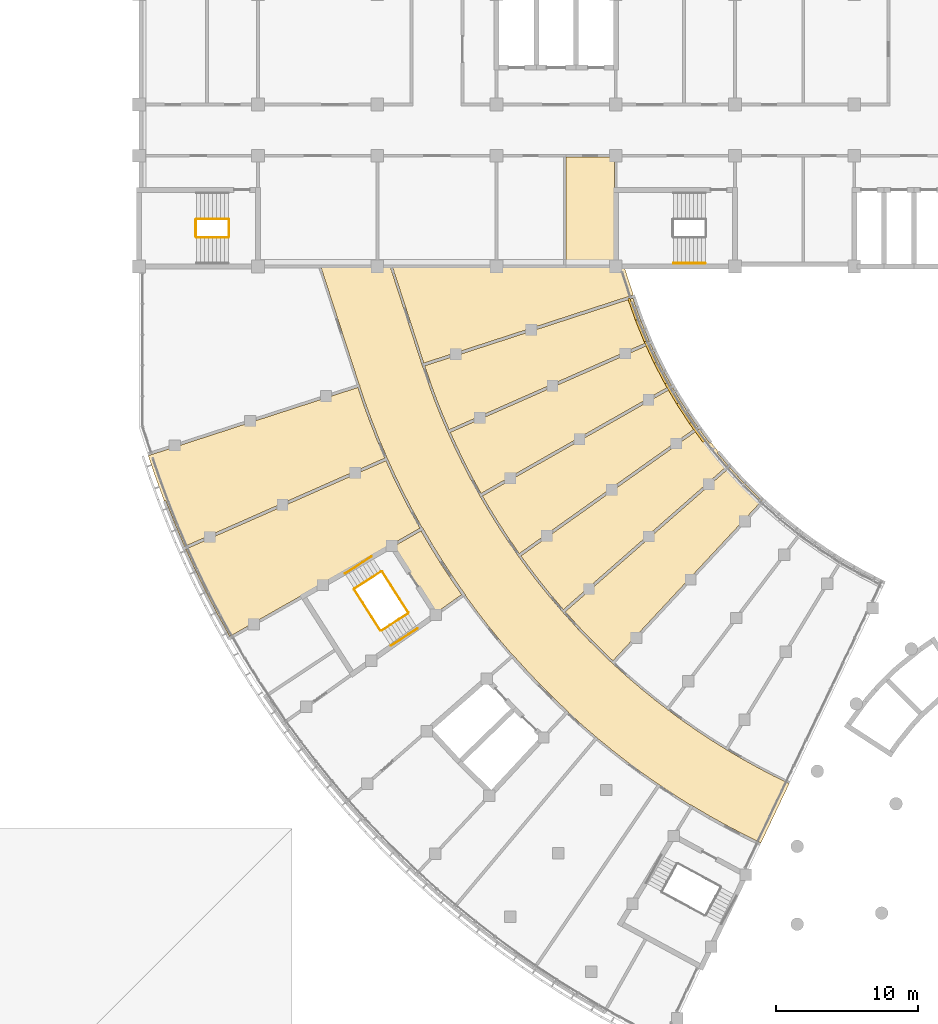
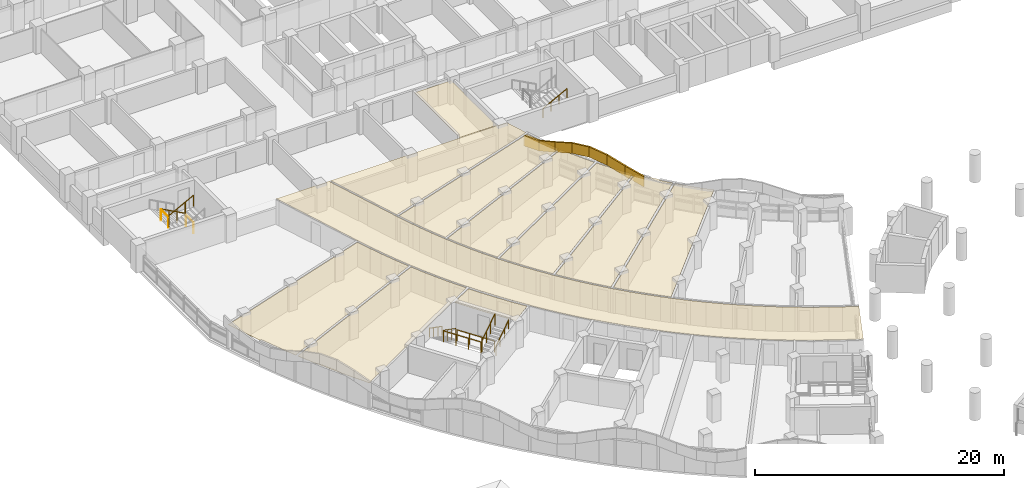
# One storey, part 83 of 89: 18 coverings, 11 railings.
"""IFC4 building model written with IfcOpenShell, lengths in metres."""

from ifc_helpers import new_model, si_unit, direction, frame, origin, origin_2d, place, context, subcontext, project, spatial, polyline, circle, outline, extrude, material, layer, layer_set, type_object, element, save


model = new_model("IFC4")

# Units and contexts
model_context = context("Model", 3, precision=1e-05, world=origin(), true_north=direction((0.0, 1.0)))
body_context = subcontext(model_context, "Body", "Model", "MODEL_VIEW")
ifc_project = project(units=[si_unit("LENGTHUNIT", "METRE"), si_unit("AREAUNIT", "SQUARE_METRE"), si_unit("VOLUMEUNIT", "CUBIC_METRE"), si_unit("PLANEANGLEUNIT", "RADIAN"), si_unit("MASSUNIT", "GRAM", prefix="KILO")], contexts=[model_context])

# Site, building, storey
site_placement = place(None, origin())
site = spatial("IfcSite", under=ifc_project, at=site_placement, CompositionType="ELEMENT")
building_placement = place(site_placement, origin())
building = spatial("IfcBuilding", under=site, at=building_placement, Name="Bougainvillea Quay General Hospital", CompositionType="ELEMENT")
storey_placement = place(building_placement, frame((0.0, 0.0, 9.89990234375)))
storey = spatial("IfcBuildingStorey", under=building, at=storey_placement, Name="L01M", CompositionType="ELEMENT", Elevation=9.89990234375)

# Coverings
ifc_material_1 = material(Name="Powder-coated aluminium fascia, green", Category="aluminium")
ifc_layer_1 = layer(ifc_material_1, 0.14990234375)
ifc_layer_set_1 = layer_set([ifc_layer_1], Name="Powder-coated aluminium fascia, green")
covering_type_1 = type_object("IfcCoveringType", Name="Aluminium wave fascia ribbon green 150x1000", PredefinedType="CLADDING", material=ifc_layer_set_1)
covering_1_placement = place(storey_placement, frame((81.860107421875, 105.287109375, 1.649658203125), z_axis=(0.191115425618, -0.265378940587, 0.945012651758), x_axis=(-0.552498255321, 0.766677637181, 0.327033757454)))
element("IfcCovering", 1, at=covering_1_placement, inside=storey, type_object=covering_type_1, Name="Fascia ribbon green a03 11", PredefinedType="CLADDING", context=body_context, shape_type="SweptSolid", body=[
    extrude(outline(polyline([(0.0, 0.0), (1.7326377036288603, -7.98514900035574e-17), (1.736474286669201, 0.14995005946681675), (-0.0037471745786367416, 0.15000855475830704), (0.0, 0.0)])), origin(), (0.327033757454, -9.7478731e-05, 0.945012651758), 1.0),
])
covering_2_placement = place(storey_placement, frame((80.90283203125, 106.615478515625, 2.217529296875), z_axis=(0.175649284869, -0.270028005097, 0.946695413102), x_axis=(-0.51620586497, 0.793576530752, 0.322130089887)))
element("IfcCovering", 2, at=covering_2_placement, inside=storey, type_object=covering_type_1, Name="Fascia ribbon green a03 12", PredefinedType="CLADDING", context=body_context, shape_type="SweptSolid", body=[
    extrude(outline(polyline([(0.0, 0.0), (1.7295783616219986, 2.333338600460366e-16), (1.7333042157225713, 0.15003232828914106), (-0.00372688795910312, 0.1499528258115512), (0.0, 0.0)])), origin(), (0.322130089887, 1.110178e-06, 0.946695413102), 1.0),
])
covering_3_placement = place(storey_placement, frame((80.010009765625, 107.988037109375, 2.775390625), z_axis=(0.068574710107, -0.117162266383, 0.990742404699), x_axis=(-0.50003278037, 0.855299792768, 0.135755232115)))
element("IfcCovering", 3, at=covering_3_placement, inside=storey, type_object=covering_type_1, Name="Fascia ribbon green a03 13", PredefinedType="CLADDING", context=body_context, shape_type="SweptSolid", body=[
    extrude(outline(polyline([(0.0, 0.0), (1.6527235888653327, -7.611268657437692e-17), (1.6562416084108509, 0.15011062465275743), (-0.003666064305362689, 0.1500296312606621), (0.0, 0.0)])), origin(), (0.135755232115, 6.696153e-05, 0.990742404699), 1.0),
])
covering_4_placement = place(storey_placement, frame((79.18359375, 109.401611328125, 2.999755859375), z_axis=(-0.066637610934, 0.127653771384, 0.989577659136), x_axis=(-0.458067730264, 0.877176093153, -0.144000194764)))
element("IfcCovering", 4, at=covering_4_placement, inside=storey, type_object=covering_type_1, Name="Fascia ribbon green a03 14", PredefinedType="CLADDING", context=body_context, shape_type="SweptSolid", body=[
    extrude(outline(polyline([(0.0, 0.0), (1.654375274054944, 1.258216621169428e-16), (1.6581415499951215, 0.15008414086189972), (-0.003722177067116728, 0.15010569226050352), (0.0, 0.0)])), origin(), (-0.144000194764, 2.1154102e-05, 0.989577659136), 1.0),
])
covering_5_placement = place(storey_placement, frame((78.42578125, 110.852783203125, 2.760498046875), z_axis=(-0.136190641951, 0.295123798869, 0.945702940878), x_axis=(-0.397243301203, 0.858226040776, -0.325032033165)))
element("IfcCovering", 5, at=covering_5_placement, inside=storey, type_object=covering_type_1, Name="Fascia ribbon green a03 15", PredefinedType="CLADDING", context=body_context, shape_type="SweptSolid", body=[
    extrude(outline(polyline([(0.0, 0.0), (1.7312980713126542, 3.913969842672671e-17), (1.735268585984335, 0.1499811522468168), (-0.0036440710331619524, 0.15009133534323663), (0.0, 0.0)])), origin(), (-0.325032033165, 0.000353596694, 0.945702940878), 1.0),
])
covering_6_placement = place(storey_placement, frame((77.738037109375, 112.338623046875, 2.196533203125), z_axis=(-0.121886725943, 0.300495629545, 0.945963002798), x_axis=(-0.355985804316, 0.876424629726, -0.324274537292)))
element("IfcCovering", 6, at=covering_6_placement, inside=storey, type_object=covering_type_1, Name="Fascia ribbon green a03 16", PredefinedType="CLADDING", context=body_context, shape_type="SweptSolid", body=[
    extrude(outline(polyline([(0.0, 0.0), (1.7309858350689447, -3.63207727782644e-17), (1.734709624348179, 0.15009016933664074), (-0.0035871554456827636, 0.1499908072268339), (0.0, 0.0)])), origin(), (-0.324274537292, 0.000147649723, 0.945963002798), 1.0),
])
covering_7_placement = place(storey_placement, frame((77.121826171875, 113.855712890625, 1.634521484375), z_axis=(-0.047322141445, 0.134210232258, 0.989822321675), x_axis=(-0.328222799528, 0.93381906267, -0.142308650702)))
element("IfcCovering", 7, at=covering_7_placement, inside=storey, type_object=covering_type_1, Name="Fascia ribbon green a03 17", PredefinedType="CLADDING", context=body_context, shape_type="SweptSolid", body=[
    extrude(outline(polyline([(0.0, 0.0), (1.6468329732874898, -8.673617379884035e-19), (1.6468012679509891, 0.15010499031991326), (-0.0036936189537909703, 0.15008674871396221), (0.0, 0.0)])), origin(), (-0.142308650702, -0.000139459611, 0.989822321675), 1.0),
])

# Railings
ifc_material_2 = material(Name="Stainless steel 304 balustrade", Category="steel")
railing_type_1 = type_object("IfcRailingType", Name="Stair guard 1100", PredefinedType="GUARDRAIL", material=ifc_material_2)
railing_1_placement = place(storey_placement, frame((48.300048828125, 120.949951171875, 0.150146484375)))
element("IfcRailing", 8, at=railing_1_placement, inside=storey, type_object=railing_type_1, Name="L01M ST-B1 stair guard 1", PredefinedType="GUARDRAIL", context=body_context, shape_type="SweptSolid", body=[
    extrude(circle(Radius=0.02392578125, at=origin_2d()), frame((0.0, 0.0, 1.076171875), z_axis=(-0.881487111273, 0.0, 0.472208081951), x_axis=(0.0, -1.0, 0.0)), (0.0, 0.0, 1.0), 2.541259765625),
    extrude(circle(Radius=0.02099609375, at=origin_2d()), origin(), (0.0, 0.0, 1.0), 1.052001953125),
    extrude(circle(Radius=0.02099609375, at=origin_2d()), frame((-0.74658203125, 0.0, 0.39990234375)), (0.0, 0.0, 1.0), 1.052001953125),
    extrude(circle(Radius=0.02099609375, at=origin_2d()), frame((-1.493408203125, 0.0, 0.800048828125)), (0.0, 0.0, 1.0), 1.052001953125),
    extrude(circle(Radius=0.02099609375, at=origin_2d()), frame((-2.239990234375, 0.0, 1.199951171875)), (0.0, 0.0, 1.0), 1.052001953125),
])
railing_2_placement = place(storey_placement, frame((46.010009765625, 120.89990234375, 1.35009765625)))
element("IfcRailing", 9, at=railing_2_placement, inside=storey, type_object=railing_type_1, Name="L01M ST-B1 stair guard 2", PredefinedType="GUARDRAIL", context=body_context, shape_type="SweptSolid", body=[
    extrude(circle(Radius=0.02392578125, at=origin_2d()), frame((0.0, 0.0, 1.076171875), z_axis=(0.0, -1.0, 0.0), x_axis=(1.0, 0.0, 0.0)), (0.0, 0.0, 1.0), 1.199951171875),
    extrude(circle(Radius=0.02099609375, at=origin_2d()), origin(), (0.0, 0.0, 1.0), 1.052001953125),
    extrude(circle(Radius=0.02099609375, at=origin_2d()), frame((0.0, -1.199951171875, 0.0)), (0.0, 0.0, 1.0), 1.052001953125),
])
railing_3_placement = place(storey_placement, frame((46.06005859375, 119.64990234375, 1.5)))
element("IfcRailing", 10, at=railing_3_placement, inside=storey, type_object=railing_type_1, Name="L01M ST-B1 stair guard 3", PredefinedType="GUARDRAIL", context=body_context, shape_type="SweptSolid", body=[
    extrude(circle(Radius=0.02392578125, at=origin_2d()), frame((0.0, 0.0, 1.076171875), z_axis=(0.881447119201, 0.0, 0.472282728937), x_axis=(0.0, 1.0, 0.0)), (0.0, 0.0, 1.0), 2.541259765625),
    extrude(circle(Radius=0.02099609375, at=origin_2d()), origin(), (0.0, 0.0, 1.0), 1.052001953125),
    extrude(circle(Radius=0.02099609375, at=origin_2d()), frame((0.74658203125, 0.0, 0.400146484375)), (0.0, 0.0, 1.0), 1.052001953125),
    extrude(circle(Radius=0.02099609375, at=origin_2d()), frame((1.493408203125, 0.0, 0.800048828125)), (0.0, 0.0, 1.0), 1.052001953125),
    extrude(circle(Radius=0.02099609375, at=origin_2d()), frame((2.239990234375, 0.0, 1.2001953125)), (0.0, 0.0, 1.0), 1.052001953125),
])
railing_4_placement = place(storey_placement, frame((48.35009765625, 120.89990234375, 0.0)))
element("IfcRailing", 11, at=railing_4_placement, inside=storey, type_object=railing_type_1, Name="L01M ST-B1 stair guard 4", PredefinedType="GUARDRAIL", context=body_context, shape_type="SweptSolid", body=[
    extrude(circle(Radius=0.02392578125, at=origin_2d()), frame((0.0, 0.0, 1.076171875), z_axis=(0.0, -1.0, 0.0), x_axis=(1.0, 0.0, 0.0)), (0.0, 0.0, 1.0), 1.199951171875),
    extrude(circle(Radius=0.02099609375, at=origin_2d()), origin(), (0.0, 0.0, 1.0), 1.052001953125),
    extrude(circle(Radius=0.02099609375, at=origin_2d()), frame((0.0, -1.199951171875, 0.0)), (0.0, 0.0, 1.0), 1.052001953125),
])
railing_5_placement = place(storey_placement, frame((59.07275390625, 96.11279296875, 0.150146484375)))
element("IfcRailing", 12, at=railing_5_placement, inside=storey, type_object=railing_type_1, Name="L01M ST-W2 stair guard 1", PredefinedType="GUARDRAIL", context=body_context, shape_type="SweptSolid", body=[
    extrude(circle(Radius=0.02392578125, at=origin_2d()), frame((0.0, 0.0, 1.076171875), z_axis=(-0.743083129325, -0.474155061187, 0.472233460128), x_axis=(0.537911863106, -0.843001083944, 0.0)), (0.0, 0.0, 1.0), 2.541015625),
    extrude(circle(Radius=0.02099609375, at=origin_2d()), origin(), (0.0, 0.0, 1.0), 1.052001953125),
    extrude(circle(Radius=0.02099609375, at=origin_2d()), frame((-0.62939453125, -0.401611328125, 0.39990234375)), (0.0, 0.0, 1.0), 1.052001953125),
    extrude(circle(Radius=0.02099609375, at=origin_2d()), frame((-1.2587890625, -0.80322265625, 0.800048828125)), (0.0, 0.0, 1.0), 1.052001953125),
    extrude(circle(Radius=0.02099609375, at=origin_2d()), frame((-1.88818359375, -1.204833984375, 1.199951171875)), (0.0, 0.0, 1.0), 1.052001953125),
])
railing_6_placement = place(storey_placement, frame((57.169189453125, 94.8388671875, 1.35009765625)))
element("IfcRailing", 13, at=railing_6_placement, inside=storey, type_object=railing_type_1, Name="L01M ST-W2 stair guard 2", PredefinedType="GUARDRAIL", context=body_context, shape_type="SweptSolid", body=[
    extrude(circle(Radius=0.02392578125, at=origin_2d()), frame((0.0, 0.0, 1.076171875), z_axis=(0.537959949577, -0.842970398443, 0.0), x_axis=(0.842970398443, 0.537959949577, 0.0)), (0.0, 0.0, 1.0), 3.421875),
    extrude(circle(Radius=0.02099609375, at=origin_2d()), origin(), (0.0, 0.0, 1.0), 1.052001953125),
    extrude(circle(Radius=0.02099609375, at=origin_2d()), frame((0.613525390625, -0.96142578125, 0.0)), (0.0, 0.0, 1.0), 1.052001953125),
    extrude(circle(Radius=0.02099609375, at=origin_2d()), frame((1.227294921875, -1.923095703125, 0.0)), (0.0, 0.0, 1.0), 1.052001953125),
    extrude(circle(Radius=0.02099609375, at=origin_2d()), frame((1.8408203125, -2.884521484375, 0.0)), (0.0, 0.0, 1.0), 1.052001953125),
])
railing_7_placement = place(storey_placement, frame((59.078857421875, 91.93896484375, 1.5)))
element("IfcRailing", 14, at=railing_7_placement, inside=storey, type_object=railing_type_1, Name="L01M ST-W2 stair guard 3", PredefinedType="GUARDRAIL", context=body_context, shape_type="SweptSolid", body=[
    extrude(circle(Radius=0.02392578125, at=origin_2d()), frame((0.0, 0.0, 1.076171875), z_axis=(0.743092438402, 0.474099700519, 0.472274392655), x_axis=(-0.53786243984, 0.843032618473, 0.0)), (0.0, 0.0, 1.0), 2.541259765625),
    extrude(circle(Radius=0.02099609375, at=origin_2d()), origin(), (0.0, 0.0, 1.0), 1.052001953125),
    extrude(circle(Radius=0.02099609375, at=origin_2d()), frame((0.62939453125, 0.401611328125, 0.400146484375)), (0.0, 0.0, 1.0), 1.052001953125),
    extrude(circle(Radius=0.02099609375, at=origin_2d()), frame((1.259033203125, 0.80322265625, 0.800048828125)), (0.0, 0.0, 1.0), 1.052001953125),
    extrude(circle(Radius=0.02099609375, at=origin_2d()), frame((1.888427734375, 1.204833984375, 1.2001953125)), (0.0, 0.0, 1.0), 1.052001953125),
])
railing_8_placement = place(storey_placement, frame((59.141845703125, 96.09765625, 0.0)))
element("IfcRailing", 15, at=railing_8_placement, inside=storey, type_object=railing_type_1, Name="L01M ST-W2 stair guard 4", PredefinedType="GUARDRAIL", context=body_context, shape_type="SweptSolid", body=[
    extrude(circle(Radius=0.02392578125, at=origin_2d()), frame((0.0, 0.0, 1.076171875), z_axis=(0.537876894364, -0.843023396181, 0.0), x_axis=(0.843023396181, 0.537876894364, 0.0)), (0.0, 0.0, 1.0), 3.421875),
    extrude(circle(Radius=0.02099609375, at=origin_2d()), origin(), (0.0, 0.0, 1.0), 1.052001953125),
    extrude(circle(Radius=0.02099609375, at=origin_2d()), frame((0.613525390625, -0.961669921875, 0.0)), (0.0, 0.0, 1.0), 1.052001953125),
    extrude(circle(Radius=0.02099609375, at=origin_2d()), frame((1.22705078125, -1.923095703125, 0.0)), (0.0, 0.0, 1.0), 1.052001953125),
    extrude(circle(Radius=0.02099609375, at=origin_2d()), frame((1.840576171875, -2.884765625, 0.0)), (0.0, 0.0, 1.0), 1.052001953125),
])
ifc_material_3 = material(Name="Stainless steel 304 handrail", Category="steel")
railing_type_2 = type_object("IfcRailingType", Name="Stair handrail 900", PredefinedType="HANDRAIL", material=ifc_material_3)
railing_9_placement = place(storey_placement, frame((79.659912109375, 117.824951171875, 1.5)))
element("IfcRailing", 16, at=railing_9_placement, inside=storey, type_object=railing_type_2, Name="L01M ST-B2 stair handrail 2", PredefinedType="HANDRAIL", context=body_context, shape_type="SweptSolid", body=[
    extrude(circle(Radius=0.02392578125, at=origin_2d()), frame((0.0, 0.0, 0.8759765625), z_axis=(0.881447119201, 0.0, 0.472282728937), x_axis=(0.0, 1.0, 0.0)), (0.0, 0.0, 1.0), 2.541259765625),
    extrude(circle(Radius=0.02099609375, at=origin_2d()), origin(), (0.0, 0.0, 1.0), 0.851806640625),
    extrude(circle(Radius=0.02099609375, at=origin_2d()), frame((0.74658203125, 0.0, 0.400146484375)), (0.0, 0.0, 1.0), 0.851806640625),
    extrude(circle(Radius=0.02099609375, at=origin_2d()), frame((1.493408203125, 0.0, 0.800048828125)), (0.0, 0.0, 1.0), 0.851806640625),
    extrude(circle(Radius=0.02099609375, at=origin_2d()), frame((2.239990234375, 0.0, 1.2001953125)), (0.0, 0.0, 1.0), 0.851806640625),
])
railing_10_placement = place(storey_placement, frame((58.400390625, 97.16650390625, 0.150146484375)))
element("IfcRailing", 17, at=railing_10_placement, inside=storey, type_object=railing_type_2, Name="L01M ST-W2 stair handrail 1", PredefinedType="HANDRAIL", context=body_context, shape_type="SweptSolid", body=[
    extrude(circle(Radius=0.02392578125, at=origin_2d()), frame((0.0, 0.0, 0.8759765625), z_axis=(-0.743126152003, -0.474121210102, 0.472199746231), x_axis=(0.53786243984, -0.843032618473, 0.0)), (0.0, 0.0, 1.0), 2.541259765625),
    extrude(circle(Radius=0.02099609375, at=origin_2d()), origin(), (0.0, 0.0, 1.0), 0.851806640625),
    extrude(circle(Radius=0.02099609375, at=origin_2d()), frame((-0.62939453125, -0.401611328125, 0.39990234375)), (0.0, 0.0, 1.0), 0.851806640625),
    extrude(circle(Radius=0.02099609375, at=origin_2d()), frame((-1.259033203125, -0.80322265625, 0.800048828125)), (0.0, 0.0, 1.0), 0.851806640625),
    extrude(circle(Radius=0.02099609375, at=origin_2d()), frame((-1.888427734375, -1.204833984375, 1.199951171875)), (0.0, 0.0, 1.0), 0.851806640625),
])
railing_11_placement = place(storey_placement, frame((59.75146484375, 90.88525390625, 1.5)))
element("IfcRailing", 18, at=railing_11_placement, inside=storey, type_object=railing_type_2, Name="L01M ST-W2 stair handrail 2", PredefinedType="HANDRAIL", context=body_context, shape_type="SweptSolid", body=[
    extrude(circle(Radius=0.02392578125, at=origin_2d()), frame((0.0, 0.0, 0.8759765625), z_axis=(0.743049412861, 0.474133546997, 0.472308108822), x_axis=(-0.537911863106, 0.843001083944, 0.0)), (0.0, 0.0, 1.0), 2.541015625),
    extrude(circle(Radius=0.02099609375, at=origin_2d()), origin(), (0.0, 0.0, 1.0), 0.851806640625),
    extrude(circle(Radius=0.02099609375, at=origin_2d()), frame((0.62939453125, 0.401611328125, 0.400146484375)), (0.0, 0.0, 1.0), 0.851806640625),
    extrude(circle(Radius=0.02099609375, at=origin_2d()), frame((1.2587890625, 0.80322265625, 0.800048828125)), (0.0, 0.0, 1.0), 0.851806640625),
    extrude(circle(Radius=0.02099609375, at=origin_2d()), frame((1.88818359375, 1.204833984375, 1.2001953125)), (0.0, 0.0, 1.0), 0.851806640625),
])

# Coverings
ifc_material_4 = material(Name="Mineral fibre ceiling tile")
ifc_layer_2 = layer(ifc_material_4, 0.030029296875)
ifc_layer_set_2 = layer_set([ifc_layer_2], Name="Mineral fibre ceiling tile")
covering_type_2 = type_object("IfcCoveringType", Name="Suspended ceiling mineral fibre tile", PredefinedType="CEILING", material=ifc_layer_set_2)
covering_8_placement = place(storey_placement, frame((0.0, 0.0, 2.050048828125)))
element("IfcCovering", 19, at=covering_8_placement, inside=storey, type_object=covering_type_2, Name="Ceiling Filter Store", PredefinedType="CEILING", context=body_context, shape_type="SweptSolid", body=[
    extrude(outline(polyline([(75.498046875, 125.300048828125), (72.097900390625, 125.300048828125), (72.097900390625, 118.050048828125), (75.425048828125, 118.050048828125), (75.425048828125, 117.697998046875), (75.498046875, 117.697998046875), (75.498046875, 125.300048828125)])), origin(), (0.0, 0.0, 1.0), 0.030029296875),
])
covering_9_placement = place(storey_placement, frame((0.0, 0.0, 2.3701171875)))
element("IfcCovering", 20, at=covering_9_placement, inside=storey, type_object=covering_type_2, Name="Ceiling Interstitial Walkway", PredefinedType="CEILING", context=body_context, shape_type="SweptSolid", body=[
    extrude(outline(polyline([(87.846923828125, 81.23193359375), (87.81396484375, 81.164794921875), (86.767333984375, 81.679443359375), (86.7666015625, 81.677734375), (86.634521484375, 81.744873046875), (86.635498046875, 81.74658203125), (85.66796875, 82.254638671875), (85.667236328125, 82.2529296875), (85.53662109375, 82.323486328125), (85.53759765625, 82.324951171875), (84.58251953125, 82.85595703125), (84.58154296875, 82.854248046875), (84.453125, 82.927978515625), (84.453857421875, 82.9296875), (83.47119140625, 83.510009765625), (83.468994140625, 83.50830078125), (83.385009765625, 83.560791015625), (83.2998046875, 83.611328125), (83.30029296875, 83.61376953125), (82.458251953125, 84.1396484375), (82.457275390625, 84.13818359375), (82.332763671875, 84.218017578125), (82.33349609375, 84.2197265625), (81.4208984375, 84.821044921875), (81.419677734375, 84.819580078125), (81.297119140625, 84.902587890625), (81.298095703125, 84.904296875), (80.401123046875, 85.52783203125), (80.39990234375, 85.526123046875), (80.34033203125, 85.570068359375), (80.279541015625, 85.6123046875), (80.28076171875, 85.614013671875), (79.30126953125, 86.3359375), (79.29931640625, 86.33447265625), (79.220947265625, 86.39501953125), (79.14111328125, 86.453857421875), (79.1416015625, 86.456298828125), (78.4150390625, 87.01708984375), (78.413818359375, 87.015380859375), (78.2978515625, 87.107421875), (78.299072265625, 87.10888671875), (77.451416015625, 87.798583984375), (77.4501953125, 87.79736328125), (77.33642578125, 87.89208984375), (77.337646484375, 87.8935546875), (76.506591796875, 88.6044921875), (76.50537109375, 88.60302734375), (76.450439453125, 88.652587890625), (76.394287109375, 88.70068359375), (76.3955078125, 88.702392578125), (75.43896484375, 89.56787109375), (75.43701171875, 89.56689453125), (75.364990234375, 89.635009765625), (75.29150390625, 89.701416015625), (75.292236328125, 89.703857421875), (74.6796875, 90.2841796875), (74.67822265625, 90.282958984375), (74.572021484375, 90.38623046875), (74.5732421875, 90.387451171875), (73.798095703125, 91.158203125), (73.796630859375, 91.156982421875), (73.69287109375, 91.2626953125), (73.6943359375, 91.263916015625), (72.938232421875, 92.054443359375), (72.9365234375, 92.052978515625), (72.886962890625, 92.10791015625), (72.8359375, 92.161376953125), (72.83740234375, 92.162841796875), (71.923583984375, 93.17431640625), (71.920654296875, 93.17333984375), (71.856689453125, 93.24853515625), (71.790283203125, 93.322021484375), (71.791748046875, 93.32470703125), (70.9072265625, 94.36376953125), (70.905517578125, 94.362548828125), (70.859130859375, 94.420166015625), (70.811279296875, 94.4765625), (70.81298828125, 94.477783203125), (70.12841796875, 95.330078125), (70.126953125, 95.328857421875), (70.03564453125, 95.445556640625), (70.037109375, 95.44677734375), (69.373779296875, 96.31640625), (69.372314453125, 96.315185546875), (69.283935546875, 96.43408203125), (69.285400390625, 96.435302734375), (68.79052734375, 97.117431640625), (68.7880859375, 97.1171875), (68.731689453125, 97.19873046875), (68.673583984375, 97.279052734375), (68.675048828125, 97.28076171875), (67.940673828125, 98.34326171875), (67.93896484375, 98.34228515625), (67.898681640625, 98.404296875), (67.856689453125, 98.465087890625), (67.8583984375, 98.46630859375), (67.261962890625, 99.3818359375), (67.260498046875, 99.380859375), (67.18115234375, 99.505859375), (67.182861328125, 99.5068359375), (66.609375, 100.4384765625), (66.60791015625, 100.4375), (66.53173828125, 100.564453125), (66.533447265625, 100.5654296875), (66.072021484375, 101.357421875), (66.069580078125, 101.357177734375), (66.021728515625, 101.444091796875), (65.971923828125, 101.52978515625), (65.9736328125, 101.531494140625), (65.385498046875, 102.597900390625), (65.3837890625, 102.596923828125), (65.349853515625, 102.66259765625), (65.314208984375, 102.7275390625), (65.31591796875, 102.728515625), (64.81494140625, 103.699462890625), (64.813232421875, 103.69873046875), (64.7470703125, 103.831298828125), (64.74853515625, 103.83203125), (64.271484375, 104.8154296875), (64.269775390625, 104.814697265625), (64.206787109375, 104.94873046875), (64.20849609375, 104.949462890625), (63.798828125, 105.8505859375), (63.79638671875, 105.8505859375), (63.75732421875, 105.941650390625), (63.71630859375, 106.031982421875), (63.718017578125, 106.03369140625), (63.268798828125, 107.08544921875), (63.266845703125, 107.084716796875), (63.21044921875, 107.221435546875), (63.21240234375, 107.22216796875), (62.810302734375, 108.23828125), (62.808349609375, 108.23779296875), (62.755615234375, 108.376220703125), (62.75732421875, 108.376708984375), (62.52685546875, 109.004150390625), (62.525634765625, 109.003662109375), (62.475830078125, 109.1435546875), (62.47705078125, 109.14404296875), (61.982421875, 110.574462890625), (61.978515625, 110.582763671875), (61.97412109375, 110.58154296875), (61.957275390625, 110.64697265625), (61.93359375, 110.71533203125), (61.93505859375, 110.716796875), (59.70556640625, 117.576904296875), (59.777099609375, 117.60009765625), (54.808837890625, 117.60009765625), (57.518798828125, 109.259765625), (57.542724609375, 109.267333984375), (57.573486328125, 109.17236328125), (57.55029296875, 109.164794921875), (57.977783203125, 107.904052734375), (58.422119140625, 106.692626953125), (58.9375, 105.389404296875), (59.500732421875, 104.063232421875), (60.07275390625, 102.809814453125), (60.563232421875, 101.798583984375), (61.17333984375, 100.610107421875), (61.9296875, 99.231689453125), (61.94873046875, 99.242919921875), (61.950439453125, 99.242431640625), (61.99951171875, 99.156005859375), (62.695556640625, 97.967529296875), (63.42138671875, 96.7978515625), (64.176025390625, 95.64599609375), (64.9609375, 94.513427734375), (65.0185546875, 94.4326171875), (65.01806640625, 94.4306640625), (64.999755859375, 94.41796875), (65.7529296875, 93.386962890625), (66.59375, 92.296630859375), (67.462646484375, 91.22705078125), (68.291748046875, 90.25634765625), (68.308349609375, 90.271240234375), (68.310302734375, 90.271240234375), (68.375732421875, 90.196533203125), (69.297607421875, 89.1728515625), (70.24365234375, 88.172607421875), (71.216064453125, 87.196533203125), (72.212646484375, 86.245849609375), (72.285400390625, 86.177978515625), (72.285400390625, 86.17626953125), (72.269775390625, 86.16015625), (73.2158203125, 85.30224609375), (74.25830078125, 84.40234375), (75.32470703125, 83.53076171875), (76.412353515625, 82.684814453125), (77.521728515625, 81.867919921875), (78.650146484375, 81.078125), (79.799560546875, 80.318115234375), (80.88134765625, 79.640625), (80.892822265625, 79.659912109375), (80.89453125, 79.660400390625), (80.9794921875, 79.60888671875), (82.165771484375, 78.90771484375), (83.36865234375, 78.238037109375), (84.58837890625, 77.59814453125), (85.82275390625, 76.9892578125), (87.846923828125, 81.23193359375)])), origin(), (0.0, 0.0, 1.0), 0.030029296875),
])
covering_10_placement = place(storey_placement, frame((0.0, 0.0, 2.3701171875)))
element("IfcCovering", 21, at=covering_10_placement, inside=storey, type_object=covering_type_2, Name="Ceiling Smoke-proof Vestibule ST-W2", PredefinedType="CEILING", context=body_context, shape_type="SweptSolid", body=[
    extrude(outline(polyline([(64.010009765625, 95.5341796875), (63.953857421875, 95.615234375), (63.9560546875, 95.61669921875), (63.306884765625, 96.607666015625), (63.3046875, 96.606201171875), (63.252685546875, 96.690185546875), (63.198486328125, 96.77294921875), (63.20068359375, 96.774169921875), (62.576416015625, 97.780517578125), (62.57421875, 97.779052734375), (62.5244140625, 97.8642578125), (62.472412109375, 97.9482421875), (62.474365234375, 97.94970703125), (61.876708984375, 98.97021484375), (59.96337890625, 97.883056640625), (60.6396484375, 96.728515625), (61.397216796875, 95.5068359375), (62.185791015625, 94.304931640625), (62.94873046875, 93.204833984375), (64.740478515625, 94.480224609375), (64.06640625, 95.452880859375), (64.064208984375, 95.45166015625), (64.010009765625, 95.5341796875)])), origin(), (0.0, 0.0, 1.0), 0.030029296875),
])
covering_11_placement = place(storey_placement, frame((0.0, 0.0, 2.3701171875)))
element("IfcCovering", 22, at=covering_11_placement, inside=storey, type_object=covering_type_2, Name="Ceiling Medical Gas and Vacuum Risers", PredefinedType="CEILING", context=body_context, shape_type="SweptSolid", body=[
    extrude(outline(polyline([(59.86181640625, 98.056884765625), (59.863525390625, 98.056396484375), (61.799560546875, 99.15673828125), (61.076416015625, 100.474853515625), (61.074462890625, 100.47412109375), (61.040771484375, 100.539794921875), (61.005126953125, 100.604736328125), (61.0068359375, 100.605712890625), (60.462646484375, 101.66552734375), (60.461181640625, 101.664794921875), (60.39501953125, 101.79736328125), (60.396484375, 101.79833984375), (59.969482421875, 102.679443359375), (59.968017578125, 102.6787109375), (59.90478515625, 102.812744140625), (59.90625, 102.8134765625), (59.405029296875, 103.91162109375), (45.2958984375, 97.684326171875), (45.9326171875, 96.283447265625), (46.6953125, 94.712890625), (47.496337890625, 93.1611328125), (48.39453125, 91.532958984375), (59.689697265625, 97.95751953125), (59.86181640625, 98.056884765625)])), origin(), (0.0, 0.0, 1.0), 0.030029296875),
])
covering_12_placement = place(storey_placement, frame((0.0, 0.0, 2.3701171875)))
element("IfcCovering", 23, at=covering_12_placement, inside=storey, type_object=covering_type_2, Name="Ceiling Medical Gas and Vacuum Risers", PredefinedType="CEILING", context=body_context, shape_type="SweptSolid", body=[
    extrude(outline(polyline([(43.791015625, 101.069091796875), (43.884033203125, 101.105712890625), (44.527587890625, 99.48095703125), (45.21533203125, 97.867431640625), (59.32421875, 104.0947265625), (58.82763671875, 105.264404296875), (58.825927734375, 105.263671875), (58.76953125, 105.400634765625), (58.771240234375, 105.4013671875), (58.30908203125, 106.5703125), (58.307373046875, 106.56982421875), (58.254638671875, 106.708251953125), (58.25634765625, 106.708740234375), (57.86181640625, 107.784423828125), (57.860107421875, 107.783935546875), (57.810791015625, 107.923583984375), (57.8125, 107.92431640625), (57.423828125, 109.071044921875), (42.66015625, 104.269287109375), (43.18798828125, 102.7099609375), (43.791015625, 101.069091796875)])), origin(), (0.0, 0.0, 1.0), 0.030029296875),
])
covering_13_placement = place(storey_placement, frame((0.0, 0.0, 2.3701171875)))
element("IfcCovering", 24, at=covering_13_placement, inside=storey, type_object=covering_type_2, Name="Ceiling Electrical Switch Room and Riser Space", PredefinedType="CEILING", context=body_context, shape_type="SweptSolid", body=[
    extrude(outline(polyline([(74.730224609375, 90.44287109375), (75.39453125, 89.813720703125), (85.89990234375, 101.104248046875), (85.0625, 101.915283203125), (85.059814453125, 101.91259765625), (84.9921875, 101.9833984375), (84.921630859375, 102.0517578125), (84.924072265625, 102.054443359375), (84.209716796875, 102.80078125), (84.20751953125, 102.798828125), (84.1416015625, 102.8720703125), (84.07373046875, 102.943115234375), (84.07568359375, 102.945068359375), (83.629638671875, 103.440673828125), (72.036376953125, 93.273193359375), (72.996826171875, 92.2099609375), (73.8525390625, 91.3154296875), (74.730224609375, 90.44287109375)])), origin(), (0.0, 0.0, 1.0), 0.030029296875),
])
covering_14_placement = place(storey_placement, frame((0.0, 0.0, 2.3701171875)))
element("IfcCovering", 25, at=covering_14_placement, inside=storey, type_object=covering_type_2, Name="Ceiling Electrical Switch Room and Riser Space", PredefinedType="CEILING", context=body_context, shape_type="SweptSolid", body=[
    extrude(outline(polyline([(82.30810546875, 105.195068359375), (82.227783203125, 105.135498046875), (81.47705078125, 106.146728515625), (68.912841796875, 97.20458984375), (69.44921875, 96.46484375), (70.199951171875, 95.480224609375), (70.974853515625, 94.515869140625), (71.904541015625, 93.423583984375), (83.498291015625, 103.591552734375), (82.751708984375, 104.4755859375), (82.827880859375, 104.5400390625), (82.30810546875, 105.195068359375)])), origin(), (0.0, 0.0, 1.0), 0.030029296875),
])
covering_15_placement = place(storey_placement, frame((0.0, 0.0, 2.3701171875)))
element("IfcCovering", 26, at=covering_15_placement, inside=storey, type_object=covering_type_2, Name="Ceiling Electrical Switch Room and Riser Space", PredefinedType="CEILING", context=body_context, shape_type="SweptSolid", body=[
    extrude(outline(polyline([(67.348388671875, 99.524169921875), (68.023193359375, 98.48779296875), (68.79736328125, 97.36767578125), (81.36083984375, 106.3095703125), (80.820068359375, 107.09814453125), (80.81689453125, 107.095947265625), (80.764404296875, 107.178955078125), (80.708984375, 107.260009765625), (80.7119140625, 107.261962890625), (80.048095703125, 108.312744140625), (80.045166015625, 108.311279296875), (79.99560546875, 108.39599609375), (79.943115234375, 108.479248046875), (79.94580078125, 108.48095703125), (79.608642578125, 109.05615234375), (66.20263671875, 101.431640625), (66.699462890625, 100.57861328125), (67.348388671875, 99.524169921875)])), origin(), (0.0, 0.0, 1.0), 0.030029296875),
])
covering_16_placement = place(storey_placement, frame((0.0, 0.0, 2.3701171875)))
element("IfcCovering", 27, at=covering_16_placement, inside=storey, type_object=covering_type_2, Name="Ceiling Pipework and Riser Space", PredefinedType="CEILING", context=body_context, shape_type="SweptSolid", body=[
    extrude(outline(polyline([(59.85595703125, 117.60009765625), (62.069580078125, 110.787841796875), (76.8330078125, 115.588134765625), (76.179931640625, 117.60009765625), (59.85595703125, 117.60009765625)])), origin(), (0.0, 0.0, 1.0), 0.030029296875),
])
covering_17_placement = place(storey_placement, frame((0.0, 0.0, 2.3701171875)))
element("IfcCovering", 28, at=covering_17_placement, inside=storey, type_object=covering_type_2, Name="Ceiling Pipework and Riser Space", PredefinedType="CEILING", context=body_context, shape_type="SweptSolid", body=[
    extrude(outline(polyline([(63.93603515625, 105.9111328125), (64.375, 104.94580078125), (64.9150390625, 103.83251953125), (65.482177734375, 102.7333984375), (66.10400390625, 101.605712890625), (79.510009765625, 109.230224609375), (79.1005859375, 109.9765625), (79.097412109375, 109.974853515625), (79.053466796875, 110.0625), (79.00634765625, 110.148681640625), (79.009521484375, 110.150390625), (78.40673828125, 111.35498046875), (78.403564453125, 111.353515625), (78.36279296875, 111.44287109375), (78.31884765625, 111.53076171875), (78.322021484375, 111.5322265625), (78.044921875, 112.1396484375), (63.93603515625, 105.9111328125)])), origin(), (0.0, 0.0, 1.0), 0.030029296875),
])
covering_18_placement = place(storey_placement, frame((0.0, 0.0, 2.3701171875)))
element("IfcCovering", 29, at=covering_18_placement, inside=storey, type_object=covering_type_2, Name="Ceiling Pipework and Riser Space", PredefinedType="CEILING", context=body_context, shape_type="SweptSolid", body=[
    extrude(outline(polyline([(77.3779296875, 113.7373046875), (77.345458984375, 113.829345703125), (77.308349609375, 113.91943359375), (77.31298828125, 113.92138671875), (76.80224609375, 115.36767578125), (62.1328125, 110.59814453125), (62.642578125, 109.124267578125), (62.923095703125, 108.36083984375), (63.37841796875, 107.21044921875), (63.855224609375, 106.09423828125), (77.96533203125, 112.322998046875), (77.3828125, 113.739013671875), (77.3779296875, 113.7373046875)])), origin(), (0.0, 0.0, 1.0), 0.030029296875),
])

save(model, "model.ifc")
